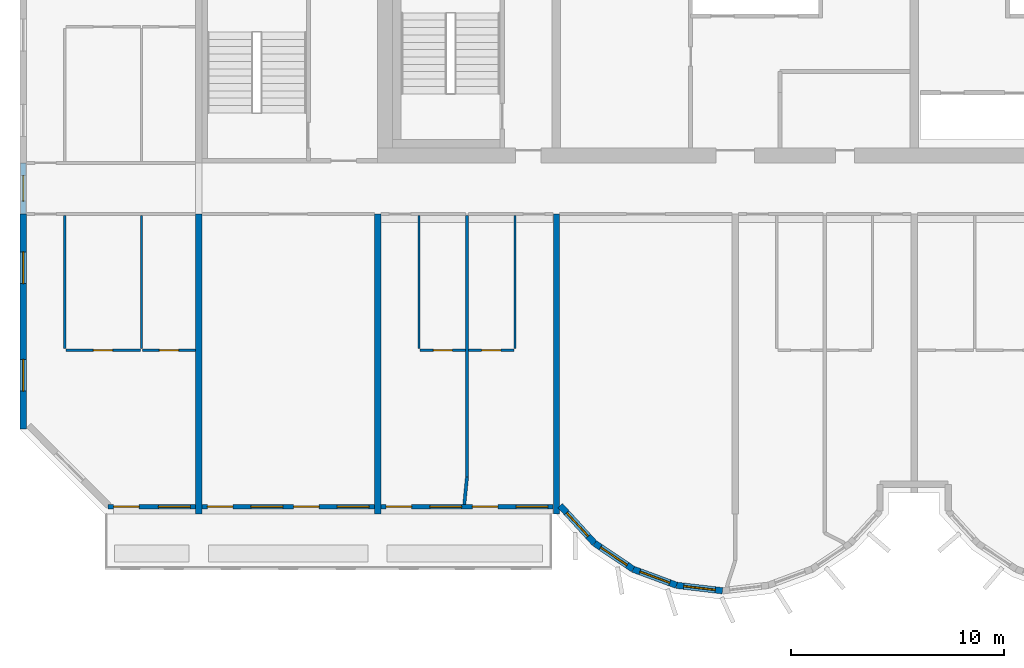
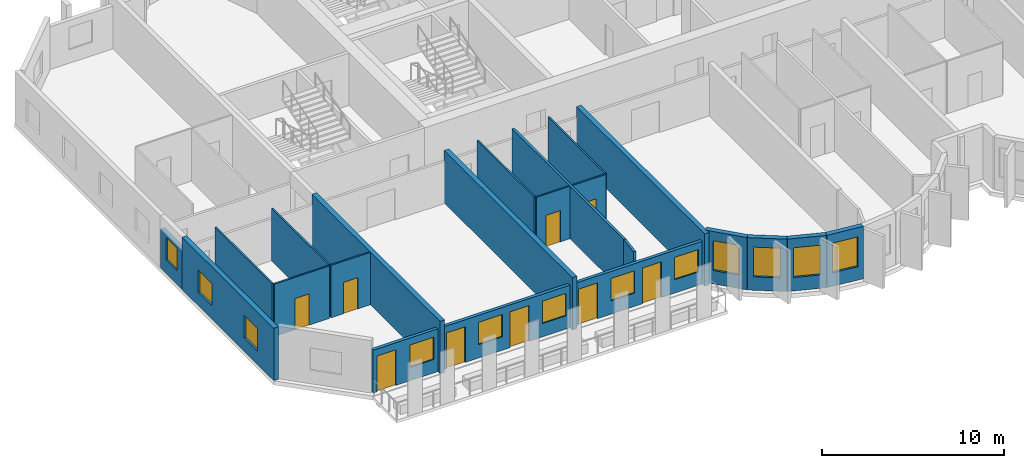
# One storey, part 2 of 13: 22 walls, 12 windows, 9 doors, 21 openings.
"""IFC4 building model written with IfcOpenShell, lengths in metres."""

from ifc_helpers import new_model, si_unit, direction, frame, frame_2d, origin, place, context, subcontext, project, spatial, rectangle, extrude, source, transform, mapped, material, layer, layer_set, type_object, element, fill, save


model = new_model("IFC4")

# Units and contexts
model_context = context("Model", 3, precision=1e-05, world=origin(), true_north=direction((0.0, 1.0)))
body_context = subcontext(model_context, "Body", "Model", "MODEL_VIEW")
ifc_project = project(units=[si_unit("LENGTHUNIT", "METRE"), si_unit("AREAUNIT", "SQUARE_METRE"), si_unit("VOLUMEUNIT", "CUBIC_METRE"), si_unit("PLANEANGLEUNIT", "RADIAN"), si_unit("MASSUNIT", "GRAM", prefix="KILO")], contexts=[model_context])

# Site, building, storey
site_placement = place(None, origin())
site = spatial("IfcSite", under=ifc_project, at=site_placement, CompositionType="ELEMENT")
building_placement = place(site_placement, origin())
building = spatial("IfcBuilding", under=site, at=building_placement, Name="Vanashikhar Sky Hotel", CompositionType="ELEMENT")
storey_placement = place(building_placement, frame((0.0, 0.0, 155.39990234375)))
storey = spatial("IfcBuildingStorey", under=building, at=storey_placement, Name="L37", CompositionType="ELEMENT", Elevation=155.39990234375)

# Wall, openings, windows
ifc_material_1 = material(Name="Concrete M60", Category="concrete")
ifc_layer_1 = layer(ifc_material_1, 0.300048828125)
ifc_layer_set_1 = layer_set([ifc_layer_1], Name="RC shear wall 300 Concrete M60")
wall_type_1 = type_object("IfcWallType", Name="RC shear wall 300 Concrete M60", PredefinedType="SHEAR", material=ifc_layer_set_1)
shared_shape_1 = source(origin(), body_context, "Body", "SweptSolid", [
    extrude(rectangle(XDim=10.10009765625, YDim=0.300048828125, at=frame_2d((5.050048828125, 0.0))), origin(), (0.0, 0.0, 1.0), 3.52001953125),
])
wall_1_placement = place(storey_placement, frame((8.550048828125, 9.5, 0.0), z_axis=(0.0, 0.0, 1.0), x_axis=(0.0, 1.0, 0.0)))
wall_1 = element("IfcWall", 1, at=wall_1_placement, inside=storey, type_object=wall_type_1, Name="CW-L37-XW02-1", PredefinedType="SHEAR", context=body_context, shape_type="MappedRepresentation", body=[
    mapped(shared_shape_1, transform((0.0, 0.0, 0.0), scale=1.0)),
])
shared_shape_2 = source(origin(), body_context, "Body", "SweptSolid", [
    extrude(rectangle(XDim=1.5, YDim=1.5, at=frame_2d((0.75, 0.75))), frame((0.0, 0.16015625, 0.0), z_axis=(0.0, -1.0, 0.0), x_axis=(1.0, 0.0, 0.0)), (0.0, 0.0, 1.0), 0.320068359375),
])
opening_1_placement = place(wall_1_placement, frame((1.77490234375, 0.0, 0.89990234375)))
opening_1 = element("IfcOpeningElement", 2, at=opening_1_placement, cuts=wall_1, Name="Opening WN-1", PredefinedType="OPENING", context=body_context, shape_type="MappedRepresentation", body=[
    mapped(shared_shape_2, transform((0.0, 0.0, 0.0), scale=1.0)),
])
opening_2_placement = place(wall_1_placement, frame((6.824951171875, 0.0, 0.89990234375)))
opening_2 = element("IfcOpeningElement", 3, at=opening_2_placement, cuts=wall_1, Name="Opening WN-1", PredefinedType="OPENING", context=body_context, shape_type="MappedRepresentation", body=[
    mapped(shared_shape_2, transform((0.0, 0.0, 0.0), scale=1.0)),
])
ifc_material_2 = material(Name="Glass", Category="glass")
window_type_1 = type_object("IfcWindowType", Name="Window 1500 x 1500", PartitioningType="SINGLE_PANEL", PredefinedType="WINDOW", material=ifc_material_2)
shared_shape_3 = source(origin(), body_context, "Body", "SweptSolid", [
    extrude(rectangle(XDim=1.5, YDim=1.5, at=frame_2d((0.75, 0.75))), frame((0.0, 0.030029296875, 0.0), z_axis=(0.0, -1.0, 0.0), x_axis=(1.0, 0.0, 0.0)), (0.0, 0.0, 1.0), 0.06005859375),
])
window_1_placement = place(opening_1_placement, origin())
window_1 = element("IfcWindow", 4, at=window_1_placement, inside=storey, type_object=window_type_1, Name="Window WN-1", OverallHeight=1.5, OverallWidth=1.5, PartitioningType="SINGLE_PANEL", PredefinedType="WINDOW", context=body_context, shape_type="MappedRepresentation", body=[
    mapped(shared_shape_3, transform((0.0, 0.0, 0.0), scale=1.0)),
])
fill(opening_1, window_1)
window_2_placement = place(opening_2_placement, origin())
window_2 = element("IfcWindow", 5, at=window_2_placement, inside=storey, type_object=window_type_1, Name="Window WN-1", OverallHeight=1.5, OverallWidth=1.5, PartitioningType="SINGLE_PANEL", PredefinedType="WINDOW", context=body_context, shape_type="MappedRepresentation", body=[
    mapped(shared_shape_3, transform((0.0, 0.0, 0.0), scale=1.0)),
])
fill(opening_2, window_2)

# Walls
shared_shape_4 = source(origin(), body_context, "Body", "SweptSolid", [
    extrude(rectangle(XDim=14.10009765625, YDim=0.300048828125, at=frame_2d((7.050048828125, 0.0))), origin(), (0.0, 0.0, 1.0), 3.52001953125),
])
for number, where, z_axis, x_axis, name in (
    (6, (16.800048828125, 5.5, 0.0), (0.0, 0.0, 1.0), (0.0, 1.0, 0.0), "CW-L37-XW03-1"),
    (7, (25.199951171875, 5.5, 0.0), (0.0, 0.0, 1.0), (0.0, 1.0, 0.0), "CW-L37-XW04-1"),
    (8, (33.60009765625, 5.5, 0.0), (0.0, 0.0, 1.0), (0.0, 1.0, 0.0), "CW-L37-XW05-1"),
):
    element("IfcWall", number, at=place(storey_placement, frame(where, z_axis=z_axis, x_axis=x_axis)), inside=storey, type_object=wall_type_1, Name=name, PredefinedType="SHEAR", context=body_context, shape_type="MappedRepresentation", body=[
        mapped(shared_shape_4, transform((0.0, 0.0, 0.0), scale=1.0)),
    ])

# Wall, opening, window
ifc_material_3 = material(Name="Concrete M50", Category="concrete")
ifc_layer_2 = layer(ifc_material_3, 0.300048828125)
ifc_layer_set_2 = layer_set([ifc_layer_2], Name="Lobe wall 300")
wall_type_2 = type_object("IfcWallType", Name="Lobe wall 300", PredefinedType="SOLIDWALL", material=ifc_layer_set_2)
shared_shape_5 = source(origin(), body_context, "Body", "SweptSolid", [
    extrude(rectangle(XDim=2.398193359375, YDim=0.300048828125, at=frame_2d((1.19921875, 0.0))), origin(), (0.0, 0.0, 1.0), 3.52001953125),
])
wall_2_placement = place(storey_placement, frame((33.776123046875, 5.89990234375, 0.0), z_axis=(0.0, 0.0, 1.0), x_axis=(0.675374189419, -0.737475222815, 0.0)))
wall_2 = element("IfcWall", 9, at=wall_2_placement, inside=storey, type_object=wall_type_2, Name="Lobe wall", PredefinedType="SOLIDWALL", context=body_context, shape_type="MappedRepresentation", body=[
    mapped(shared_shape_5, transform((0.0, 0.0, 0.0), scale=1.0)),
])
shared_shape_6 = source(origin(), body_context, "Body", "SweptSolid", [
    extrude(rectangle(XDim=1.5, YDim=2.0, at=frame_2d((0.75, 1.0))), frame((0.0, 0.16015625, 0.0), z_axis=(0.0, -1.0, 0.0), x_axis=(1.0, 0.0, 0.0)), (0.0, 0.0, 1.0), 0.320068359375),
])
opening_3_placement = place(wall_2_placement, frame((0.44921875, 0.0, 0.89990234375)))
opening_3 = element("IfcOpeningElement", 10, at=opening_3_placement, cuts=wall_2, Name="Opening WN-2", PredefinedType="OPENING", context=body_context, shape_type="MappedRepresentation", body=[
    mapped(shared_shape_6, transform((0.0, 0.0, 0.0), scale=1.0)),
])
window_type_2 = type_object("IfcWindowType", Name="Lobe window 1500 x 2000", PartitioningType="SINGLE_PANEL", PredefinedType="WINDOW", material=ifc_material_2)
shared_shape_7 = source(origin(), body_context, "Body", "SweptSolid", [
    extrude(rectangle(XDim=1.5, YDim=2.0, at=frame_2d((0.75, 1.0))), frame((0.0, 0.030029296875, 0.0), z_axis=(0.0, -1.0, 0.0), x_axis=(1.0, 0.0, 0.0)), (0.0, 0.0, 1.0), 0.06005859375),
])
window_3_placement = place(opening_3_placement, origin())
window_3 = element("IfcWindow", 11, at=window_3_placement, inside=storey, type_object=window_type_2, Name="Window WN-2", OverallHeight=2.0, OverallWidth=1.5, PartitioningType="SINGLE_PANEL", PredefinedType="WINDOW", context=body_context, shape_type="MappedRepresentation", body=[
    mapped(shared_shape_7, transform((0.0, 0.0, 0.0), scale=1.0)),
])
fill(opening_3, window_3)

shared_shape_8 = source(origin(), body_context, "Body", "SweptSolid", [
    extrude(rectangle(XDim=2.17578125, YDim=0.300048828125, at=frame_2d((1.087890625, 0.0))), origin(), (0.0, 0.0, 1.0), 3.52001953125),
])
wall_3_placement = place(storey_placement, frame((35.395751953125, 4.13134765625, 0.0), z_axis=(0.0, 0.0, 1.0), x_axis=(0.829590746428, -0.558371913192, 0.0)))
wall_3 = element("IfcWall", 12, at=wall_3_placement, inside=storey, type_object=wall_type_2, Name="Lobe wall", PredefinedType="SOLIDWALL", context=body_context, shape_type="MappedRepresentation", body=[
    mapped(shared_shape_8, transform((0.0, 0.0, 0.0), scale=1.0)),
])
opening_4_placement = place(wall_3_placement, frame((0.337890625, 0.0, 0.89990234375)))
opening_4 = element("IfcOpeningElement", 13, at=opening_4_placement, cuts=wall_3, Name="Opening WN-2", PredefinedType="OPENING", context=body_context, shape_type="MappedRepresentation", body=[
    mapped(shared_shape_6, transform((0.0, 0.0, 0.0), scale=1.0)),
])
window_4_placement = place(opening_4_placement, origin())
window_4 = element("IfcWindow", 14, at=window_4_placement, inside=storey, type_object=window_type_2, Name="Window WN-2", OverallHeight=2.0, OverallWidth=1.5, PartitioningType="SINGLE_PANEL", PredefinedType="WINDOW", context=body_context, shape_type="MappedRepresentation", body=[
    mapped(shared_shape_7, transform((0.0, 0.0, 0.0), scale=1.0)),
])
fill(opening_4, window_4)

wall_4_placement = place(storey_placement, frame((37.20068359375, 2.91650390625, 0.0), z_axis=(0.0, 0.0, 1.0), x_axis=(0.93754555999, -0.347862505801, 0.0)))
wall_4 = element("IfcWall", 15, at=wall_4_placement, inside=storey, type_object=wall_type_2, Name="Lobe wall", PredefinedType="SOLIDWALL", context=body_context, shape_type="MappedRepresentation", body=[
    mapped(shared_shape_8, transform((0.0, 0.0, 0.0), scale=1.0)),
])
opening_5_placement = place(wall_4_placement, frame((0.337890625, 0.0, 0.89990234375)))
opening_5 = element("IfcOpeningElement", 16, at=opening_5_placement, cuts=wall_4, Name="Opening WN-2", PredefinedType="OPENING", context=body_context, shape_type="MappedRepresentation", body=[
    mapped(shared_shape_6, transform((0.0, 0.0, 0.0), scale=1.0)),
])
window_5_placement = place(opening_5_placement, origin())
window_5 = element("IfcWindow", 17, at=window_5_placement, inside=storey, type_object=window_type_2, Name="Window WN-2", OverallHeight=2.0, OverallWidth=1.5, PartitioningType="SINGLE_PANEL", PredefinedType="WINDOW", context=body_context, shape_type="MappedRepresentation", body=[
    mapped(shared_shape_7, transform((0.0, 0.0, 0.0), scale=1.0)),
])
fill(opening_5, window_5)

shared_shape_9 = source(origin(), body_context, "Body", "SweptSolid", [
    extrude(rectangle(XDim=2.174560546875, YDim=0.300048828125, at=frame_2d((1.08740234375, 0.0))), origin(), (0.0, 0.0, 1.0), 3.52001953125),
])
wall_5_placement = place(storey_placement, frame((39.240478515625, 2.15966796875, 0.0), z_axis=(0.0, 0.0, 1.0), x_axis=(0.993001132889, -0.118104826659, 0.0)))
wall_5 = element("IfcWall", 18, at=wall_5_placement, inside=storey, type_object=wall_type_2, Name="Lobe wall", PredefinedType="SOLIDWALL", context=body_context, shape_type="MappedRepresentation", body=[
    mapped(shared_shape_9, transform((0.0, 0.0, 0.0), scale=1.0)),
])
opening_6_placement = place(wall_5_placement, frame((0.33740234375, 0.0, 0.89990234375)))
opening_6 = element("IfcOpeningElement", 19, at=opening_6_placement, cuts=wall_5, Name="Opening WN-2", PredefinedType="OPENING", context=body_context, shape_type="MappedRepresentation", body=[
    mapped(shared_shape_6, transform((0.0, 0.0, 0.0), scale=1.0)),
])
window_6_placement = place(opening_6_placement, origin())
window_6 = element("IfcWindow", 20, at=window_6_placement, inside=storey, type_object=window_type_2, Name="Window WN-2", OverallHeight=2.0, OverallWidth=1.5, PartitioningType="SINGLE_PANEL", PredefinedType="WINDOW", context=body_context, shape_type="MappedRepresentation", body=[
    mapped(shared_shape_7, transform((0.0, 0.0, 0.0), scale=1.0)),
])
fill(opening_6, window_6)

ifc_layer_3 = layer(ifc_material_3, 0.25)
ifc_layer_set_3 = layer_set([ifc_layer_3], Name="Rear and end board-marked wall 250")
wall_type_3 = type_object("IfcWallType", Name="Rear and end board-marked wall 250", PredefinedType="SOLIDWALL", material=ifc_layer_set_3)
shared_shape_10 = source(origin(), body_context, "Body", "SweptSolid", [
    extrude(rectangle(XDim=2.39990234375, YDim=0.25, at=frame_2d((1.199951171875, 0.0))), origin(), (0.0, 0.0, 1.0), 2.6201171875),
])
wall_6_placement = place(storey_placement, frame((8.550048828125, 19.60009765625, 0.0), z_axis=(0.0, 0.0, 1.0), x_axis=(0.0, 1.0, 0.0)))
wall_6 = element("IfcWall", 21, at=wall_6_placement, inside=storey, type_object=wall_type_3, Name="End corridor infill wall", PredefinedType="SOLIDWALL", context=body_context, shape_type="MappedRepresentation", body=[
    mapped(shared_shape_10, transform((0.0, 0.0, 0.0), scale=1.0)),
])
shared_shape_11 = source(origin(), body_context, "Body", "SweptSolid", [
    extrude(rectangle(XDim=1.199951171875, YDim=1.5, at=frame_2d((0.60009765625, 0.75))), frame((0.0, 0.135009765625, 0.0), z_axis=(0.0, -1.0, 0.0), x_axis=(1.0, 0.0, 0.0)), (0.0, 0.0, 1.0), 0.27001953125),
])
opening_7_placement = place(wall_6_placement, frame((0.60009765625, 0.0, 0.89990234375)))
opening_7 = element("IfcOpeningElement", 22, at=opening_7_placement, cuts=wall_6, Name="Opening WN-3", PredefinedType="OPENING", context=body_context, shape_type="MappedRepresentation", body=[
    mapped(shared_shape_11, transform((0.0, 0.0, 0.0), scale=1.0)),
])
window_type_3 = type_object("IfcWindowType", Name="Corridor end window 1200 x 1500", PartitioningType="SINGLE_PANEL", PredefinedType="WINDOW", material=ifc_material_2)
shared_shape_12 = source(origin(), body_context, "Body", "SweptSolid", [
    extrude(rectangle(XDim=1.199951171875, YDim=1.5, at=frame_2d((0.60009765625, 0.75))), frame((0.0, 0.030029296875, 0.0), z_axis=(0.0, -1.0, 0.0), x_axis=(1.0, 0.0, 0.0)), (0.0, 0.0, 1.0), 0.06005859375),
])
window_7_placement = place(opening_7_placement, origin())
window_7 = element("IfcWindow", 23, at=window_7_placement, inside=storey, type_object=window_type_3, Name="Window WN-3", OverallHeight=1.5, OverallWidth=1.199951171875, PartitioningType="SINGLE_PANEL", PredefinedType="WINDOW", context=body_context, shape_type="MappedRepresentation", body=[
    mapped(shared_shape_12, transform((0.0, 0.0, 0.0), scale=1.0)),
])
fill(opening_7, window_7)

# Wall, openings, window, door
ifc_layer_4 = layer(ifc_material_3, 0.199951171875)
ifc_layer_set_4 = layer_set([ifc_layer_4], Name="Front window wall 200")
wall_type_4 = type_object("IfcWallType", Name="Front window wall 200", PredefinedType="SOLIDWALL", material=ifc_layer_set_4)
shared_shape_13 = source(origin(), body_context, "Body", "SweptSolid", [
    extrude(rectangle(XDim=4.10498046875, YDim=0.199951171875, at=frame_2d((2.052490234375, 0.0))), origin(), (0.0, 0.0, 1.0), 2.8701171875),
])
wall_7_placement = place(storey_placement, frame((12.544921875, 5.85009765625, 0.0), z_axis=(0.0, 0.0, 1.0), x_axis=(1.0, 0.0, 0.0)))
wall_7 = element("IfcWall", 24, at=wall_7_placement, inside=storey, type_object=wall_type_4, Name="Front window wall", PredefinedType="SOLIDWALL", context=body_context, shape_type="MappedRepresentation", body=[
    mapped(shared_shape_13, transform((0.0, 0.0, 0.0), scale=1.0)),
])
shared_shape_14 = source(origin(), body_context, "Body", "SweptSolid", [
    extrude(rectangle(XDim=1.199951171875, YDim=2.39990234375, at=frame_2d((0.60009765625, 1.199951171875))), frame((0.0, 0.10986328125, 0.0), z_axis=(0.0, -1.0, 0.0), x_axis=(1.0, 0.0, 0.0)), (0.0, 0.0, 1.0), 0.219970703125),
])
opening_8_placement = place(wall_7_placement, frame((0.25, 0.0, 0.0)))
opening_8 = element("IfcOpeningElement", 25, at=opening_8_placement, cuts=wall_7, Name="Opening BD-01", PredefinedType="OPENING", context=body_context, shape_type="MappedRepresentation", body=[
    mapped(shared_shape_14, transform((0.0, 0.0, 0.0), scale=1.0)),
])
shared_shape_15 = source(origin(), body_context, "Body", "SweptSolid", [
    extrude(rectangle(XDim=1.5, YDim=1.5, at=frame_2d((0.75, 0.75))), frame((0.0, 0.10986328125, 0.0), z_axis=(0.0, -1.0, 0.0), x_axis=(1.0, 0.0, 0.0)), (0.0, 0.0, 1.0), 0.219970703125),
])
opening_9_placement = place(wall_7_placement, frame((2.35498046875, 0.0, 0.89990234375)))
opening_9 = element("IfcOpeningElement", 26, at=opening_9_placement, cuts=wall_7, Name="Opening WN-1", PredefinedType="OPENING", context=body_context, shape_type="MappedRepresentation", body=[
    mapped(shared_shape_15, transform((0.0, 0.0, 0.0), scale=1.0)),
])
window_8_placement = place(opening_9_placement, origin())
window_8 = element("IfcWindow", 27, at=window_8_placement, inside=storey, type_object=window_type_1, Name="Window WN-1", OverallHeight=1.5, OverallWidth=1.5, PartitioningType="SINGLE_PANEL", PredefinedType="WINDOW", context=body_context, shape_type="MappedRepresentation", body=[
    mapped(shared_shape_3, transform((0.0, 0.0, 0.0), scale=1.0)),
])
fill(opening_9, window_8)
ifc_material_4 = material(Name="Aluminium", Category="aluminium")
door_type_1 = type_object("IfcDoorType", Name="Balcony sliding door 1200 x 2400", OperationType="NOTDEFINED", PredefinedType="DOOR", material=ifc_material_4)
shared_shape_16 = source(origin(), body_context, "Body", "SweptSolid", [
    extrude(rectangle(XDim=1.199951171875, YDim=2.39990234375, at=frame_2d((0.60009765625, 1.199951171875))), frame((0.0, 0.02490234375, 0.0), z_axis=(0.0, -1.0, 0.0), x_axis=(1.0, 0.0, 0.0)), (0.0, 0.0, 1.0), 0.050048828125),
])
door_1_placement = place(opening_8_placement, origin())
door_1 = element("IfcDoor", 28, at=door_1_placement, inside=storey, type_object=door_type_1, Name="Balcony sliding door", OperationType="SLIDING_TO_LEFT", OverallHeight=2.39990234375, OverallWidth=1.199951171875, PredefinedType="DOOR", context=body_context, shape_type="MappedRepresentation", body=[
    mapped(shared_shape_16, transform((0.0, 0.0, 0.0), scale=1.0)),
])
fill(opening_8, door_1)

# Wall, openings, windows, doors
shared_shape_17 = source(origin(), body_context, "Body", "SweptSolid", [
    extrude(rectangle(XDim=8.10009765625, YDim=0.199951171875, at=frame_2d((4.050048828125, 0.0))), origin(), (0.0, 0.0, 1.0), 2.8701171875),
])
wall_8_placement = place(storey_placement, frame((16.949951171875, 5.85009765625, 0.0), z_axis=(0.0, 0.0, 1.0), x_axis=(1.0, 0.0, 0.0)))
wall_8 = element("IfcWall", 29, at=wall_8_placement, inside=storey, type_object=wall_type_4, Name="Front window wall", PredefinedType="SOLIDWALL", context=body_context, shape_type="MappedRepresentation", body=[
    mapped(shared_shape_17, transform((0.0, 0.0, 0.0), scale=1.0)),
])
opening_10_placement = place(wall_8_placement, frame((0.25, 0.0, 0.0)))
opening_10 = element("IfcOpeningElement", 30, at=opening_10_placement, cuts=wall_8, Name="Opening BD-02", PredefinedType="OPENING", context=body_context, shape_type="MappedRepresentation", body=[
    mapped(shared_shape_14, transform((0.0, 0.0, 0.0), scale=1.0)),
])
opening_11_placement = place(wall_8_placement, frame((2.300048828125, 0.0, 0.89990234375)))
opening_11 = element("IfcOpeningElement", 31, at=opening_11_placement, cuts=wall_8, Name="Opening WN-1", PredefinedType="OPENING", context=body_context, shape_type="MappedRepresentation", body=[
    mapped(shared_shape_15, transform((0.0, 0.0, 0.0), scale=1.0)),
])
opening_12_placement = place(wall_8_placement, frame((4.300048828125, 0.0, 0.0)))
opening_12 = element("IfcOpeningElement", 32, at=opening_12_placement, cuts=wall_8, Name="Opening BD-03", PredefinedType="OPENING", context=body_context, shape_type="MappedRepresentation", body=[
    mapped(shared_shape_14, transform((0.0, 0.0, 0.0), scale=1.0)),
])
opening_13_placement = place(wall_8_placement, frame((6.35009765625, 0.0, 0.89990234375)))
opening_13 = element("IfcOpeningElement", 33, at=opening_13_placement, cuts=wall_8, Name="Opening WN-1", PredefinedType="OPENING", context=body_context, shape_type="MappedRepresentation", body=[
    mapped(shared_shape_15, transform((0.0, 0.0, 0.0), scale=1.0)),
])
window_9_placement = place(opening_11_placement, origin())
window_9 = element("IfcWindow", 34, at=window_9_placement, inside=storey, type_object=window_type_1, Name="Window WN-1", OverallHeight=1.5, OverallWidth=1.5, PartitioningType="SINGLE_PANEL", PredefinedType="WINDOW", context=body_context, shape_type="MappedRepresentation", body=[
    mapped(shared_shape_3, transform((0.0, 0.0, 0.0), scale=1.0)),
])
fill(opening_11, window_9)
window_10_placement = place(opening_13_placement, origin())
window_10 = element("IfcWindow", 35, at=window_10_placement, inside=storey, type_object=window_type_1, Name="Window WN-1", OverallHeight=1.5, OverallWidth=1.5, PartitioningType="SINGLE_PANEL", PredefinedType="WINDOW", context=body_context, shape_type="MappedRepresentation", body=[
    mapped(shared_shape_3, transform((0.0, 0.0, 0.0), scale=1.0)),
])
fill(opening_13, window_10)
door_2_placement = place(opening_10_placement, origin())
door_2 = element("IfcDoor", 36, at=door_2_placement, inside=storey, type_object=door_type_1, Name="Balcony sliding door", OperationType="SLIDING_TO_RIGHT", OverallHeight=2.39990234375, OverallWidth=1.199951171875, PredefinedType="DOOR", context=body_context, shape_type="MappedRepresentation", body=[
    mapped(shared_shape_16, transform((0.0, 0.0, 0.0), scale=1.0)),
])
fill(opening_10, door_2)
door_3_placement = place(opening_12_placement, origin())
door_3 = element("IfcDoor", 37, at=door_3_placement, inside=storey, type_object=door_type_1, Name="Balcony sliding door", OperationType="SLIDING_TO_LEFT", OverallHeight=2.39990234375, OverallWidth=1.199951171875, PredefinedType="DOOR", context=body_context, shape_type="MappedRepresentation", body=[
    mapped(shared_shape_16, transform((0.0, 0.0, 0.0), scale=1.0)),
])
fill(opening_12, door_3)

shared_shape_18 = source(origin(), body_context, "Body", "SweptSolid", [
    extrude(rectangle(XDim=8.099853515625, YDim=0.199951171875, at=frame_2d((4.0498046875, 0.0))), origin(), (0.0, 0.0, 1.0), 2.8701171875),
])
wall_9_placement = place(storey_placement, frame((25.35009765625, 5.85009765625, 0.0), z_axis=(0.0, 0.0, 1.0), x_axis=(1.0, 0.0, 0.0)))
wall_9 = element("IfcWall", 38, at=wall_9_placement, inside=storey, type_object=wall_type_4, Name="Front window wall", PredefinedType="SOLIDWALL", context=body_context, shape_type="MappedRepresentation", body=[
    mapped(shared_shape_18, transform((0.0, 0.0, 0.0), scale=1.0)),
])
opening_14_placement = place(wall_9_placement, frame((0.25, 0.0, 0.0)))
opening_14 = element("IfcOpeningElement", 39, at=opening_14_placement, cuts=wall_9, Name="Opening BD-04", PredefinedType="OPENING", context=body_context, shape_type="MappedRepresentation", body=[
    mapped(shared_shape_14, transform((0.0, 0.0, 0.0), scale=1.0)),
])
opening_15_placement = place(wall_9_placement, frame((2.300048828125, 0.0, 0.89990234375)))
opening_15 = element("IfcOpeningElement", 40, at=opening_15_placement, cuts=wall_9, Name="Opening WN-1", PredefinedType="OPENING", context=body_context, shape_type="MappedRepresentation", body=[
    mapped(shared_shape_15, transform((0.0, 0.0, 0.0), scale=1.0)),
])
opening_16_placement = place(wall_9_placement, frame((4.300048828125, 0.0, 0.0)))
opening_16 = element("IfcOpeningElement", 41, at=opening_16_placement, cuts=wall_9, Name="Opening BD-05", PredefinedType="OPENING", context=body_context, shape_type="MappedRepresentation", body=[
    mapped(shared_shape_14, transform((0.0, 0.0, 0.0), scale=1.0)),
])
opening_17_placement = place(wall_9_placement, frame((6.35009765625, 0.0, 0.89990234375)))
opening_17 = element("IfcOpeningElement", 42, at=opening_17_placement, cuts=wall_9, Name="Opening WN-1", PredefinedType="OPENING", context=body_context, shape_type="MappedRepresentation", body=[
    mapped(shared_shape_15, transform((0.0, 0.0, 0.0), scale=1.0)),
])
window_11_placement = place(opening_15_placement, origin())
window_11 = element("IfcWindow", 43, at=window_11_placement, inside=storey, type_object=window_type_1, Name="Window WN-1", OverallHeight=1.5, OverallWidth=1.5, PartitioningType="SINGLE_PANEL", PredefinedType="WINDOW", context=body_context, shape_type="MappedRepresentation", body=[
    mapped(shared_shape_3, transform((0.0, 0.0, 0.0), scale=1.0)),
])
fill(opening_15, window_11)
window_12_placement = place(opening_17_placement, origin())
window_12 = element("IfcWindow", 44, at=window_12_placement, inside=storey, type_object=window_type_1, Name="Window WN-1", OverallHeight=1.5, OverallWidth=1.5, PartitioningType="SINGLE_PANEL", PredefinedType="WINDOW", context=body_context, shape_type="MappedRepresentation", body=[
    mapped(shared_shape_3, transform((0.0, 0.0, 0.0), scale=1.0)),
])
fill(opening_17, window_12)
door_4_placement = place(opening_14_placement, origin())
door_4 = element("IfcDoor", 45, at=door_4_placement, inside=storey, type_object=door_type_1, Name="Balcony sliding door", OperationType="SLIDING_TO_RIGHT", OverallHeight=2.39990234375, OverallWidth=1.199951171875, PredefinedType="DOOR", context=body_context, shape_type="MappedRepresentation", body=[
    mapped(shared_shape_16, transform((0.0, 0.0, 0.0), scale=1.0)),
])
fill(opening_14, door_4)
door_5_placement = place(opening_16_placement, origin())
door_5 = element("IfcDoor", 46, at=door_5_placement, inside=storey, type_object=door_type_1, Name="Balcony sliding door", OperationType="SLIDING_TO_LEFT", OverallHeight=2.39990234375, OverallWidth=1.199951171875, PredefinedType="DOOR", context=body_context, shape_type="MappedRepresentation", body=[
    mapped(shared_shape_16, transform((0.0, 0.0, 0.0), scale=1.0)),
])
fill(opening_16, door_5)

# Wall, opening, door
ifc_material_5 = material(Name="Gypsum plasterboard partition")
ifc_layer_5 = layer(ifc_material_5, 0.10009765625)
ifc_layer_set_5 = layer_set([ifc_layer_5], Name="Wet room partition 100")
wall_type_5 = type_object("IfcWallType", Name="Wet room partition 100", PredefinedType="PARTITIONING", material=ifc_layer_set_5)
shared_shape_19 = source(origin(), body_context, "Body", "SweptSolid", [
    extrude(rectangle(XDim=3.5, YDim=0.10009765625, at=frame_2d((1.75, 0.0))), origin(), (0.0, 0.0, 1.0), 3.52001953125),
])
wall_10_placement = place(storey_placement, frame((10.550048828125, 13.199951171875, 0.0), z_axis=(0.0, 0.0, 1.0), x_axis=(1.0, 0.0, 0.0)))
wall_10 = element("IfcWall", 47, at=wall_10_placement, inside=storey, type_object=wall_type_5, Name="W-L37-PW003", PredefinedType="PARTITIONING", context=body_context, shape_type="MappedRepresentation", body=[
    mapped(shared_shape_19, transform((0.0, 0.0, 0.0), scale=1.0)),
])
shared_shape_20 = source(origin(), body_context, "Body", "SweptSolid", [
    extrude(rectangle(XDim=0.89990234375, YDim=2.10009765625, at=frame_2d((0.449951171875, 1.050048828125))), frame((0.0, 0.06005859375, 0.0), z_axis=(0.0, -1.0, 0.0), x_axis=(1.0, 0.0, 0.0)), (0.0, 0.0, 1.0), 0.1201171875),
])
opening_18_placement = place(wall_10_placement, frame((1.300048828125, 0.0, 0.0)))
opening_18 = element("IfcOpeningElement", 48, at=opening_18_placement, cuts=wall_10, Name="Opening D-02", PredefinedType="OPENING", context=body_context, shape_type="MappedRepresentation", body=[
    mapped(shared_shape_20, transform((0.0, 0.0, 0.0), scale=1.0)),
])
ifc_material_6 = material(Name="Timber door", Category="wood")
door_type_2 = type_object("IfcDoorType", Name="Internal door 900", OperationType="NOTDEFINED", PredefinedType="DOOR", material=ifc_material_6)
shared_shape_21 = source(origin(), body_context, "Body", "SweptSolid", [
    extrude(rectangle(XDim=0.89990234375, YDim=2.10009765625, at=frame_2d((0.449951171875, 1.050048828125))), frame((0.0, 0.02490234375, 0.0), z_axis=(0.0, -1.0, 0.0), x_axis=(1.0, 0.0, 0.0)), (0.0, 0.0, 1.0), 0.050048828125),
])
door_6_placement = place(opening_18_placement, origin())
door_6 = element("IfcDoor", 49, at=door_6_placement, inside=storey, type_object=door_type_2, Name="D-L37-001", OperationType="SINGLE_SWING_LEFT", OverallHeight=2.10009765625, OverallWidth=0.89990234375, PredefinedType="DOOR", context=body_context, shape_type="MappedRepresentation", body=[
    mapped(shared_shape_21, transform((0.0, 0.0, 0.0), scale=1.0)),
])
fill(opening_18, door_6)

# Walls
shared_shape_22 = source(origin(), body_context, "Body", "SweptSolid", [
    extrude(rectangle(XDim=6.25, YDim=0.10009765625, at=frame_2d((3.125, 0.0))), origin(), (0.0, 0.0, 1.0), 3.52001953125),
])
for number, where, z_axis, x_axis, name in (
    (50, (10.5, 13.27490234375, 0.0), (0.0, 0.0, 1.0), (0.0, 1.0, 0.0), "W-L37-PW001"),
    (51, (14.10009765625, 13.27490234375, 0.0), (0.0, 0.0, 1.0), (0.0, 1.0, 0.0), "W-L37-PW002"),
    (52, (27.14990234375, 13.27490234375, 0.0), (0.0, 0.0, 1.0), (0.0, 1.0, 0.0), "W-L37-PW007"),
    (53, (31.64990234375, 13.27490234375, 0.0), (0.0, 0.0, 1.0), (0.0, 1.0, 0.0), "W-L37-PW010"),
):
    element("IfcWall", number, at=place(storey_placement, frame(where, z_axis=z_axis, x_axis=x_axis)), inside=storey, type_object=wall_type_5, Name=name, PredefinedType="PARTITIONING", context=body_context, shape_type="MappedRepresentation", body=[
        mapped(shared_shape_22, transform((0.0, 0.0, 0.0), scale=1.0)),
    ])

# Wall, opening, door
shared_shape_23 = source(origin(), body_context, "Body", "SweptSolid", [
    extrude(rectangle(XDim=2.5, YDim=0.10009765625, at=frame_2d((1.25, 0.0))), origin(), (0.0, 0.0, 1.0), 3.52001953125),
])
wall_11_placement = place(storey_placement, frame((14.14990234375, 13.199951171875, 0.0), z_axis=(0.0, 0.0, 1.0), x_axis=(1.0, 0.0, 0.0)))
wall_11 = element("IfcWall", 54, at=wall_11_placement, inside=storey, type_object=wall_type_5, Name="W-L37-PW004", PredefinedType="PARTITIONING", context=body_context, shape_type="MappedRepresentation", body=[
    mapped(shared_shape_23, transform((0.0, 0.0, 0.0), scale=1.0)),
])
opening_19_placement = place(wall_11_placement, frame((0.800048828125, 0.0, 0.0)))
opening_19 = element("IfcOpeningElement", 55, at=opening_19_placement, cuts=wall_11, Name="Opening D-02", PredefinedType="OPENING", context=body_context, shape_type="MappedRepresentation", body=[
    mapped(shared_shape_20, transform((0.0, 0.0, 0.0), scale=1.0)),
])
door_7_placement = place(opening_19_placement, origin())
door_7 = element("IfcDoor", 56, at=door_7_placement, inside=storey, type_object=door_type_2, Name="D-L37-002", OperationType="SINGLE_SWING_LEFT", OverallHeight=2.10009765625, OverallWidth=0.89990234375, PredefinedType="DOOR", context=body_context, shape_type="MappedRepresentation", body=[
    mapped(shared_shape_21, transform((0.0, 0.0, 0.0), scale=1.0)),
])
fill(opening_19, door_7)

# Walls
ifc_layer_6 = layer(ifc_material_5, 0.14990234375)
ifc_layer_set_6 = layer_set([ifc_layer_6], Name="Corridor and demising partition 150")
wall_type_6 = type_object("IfcWallType", Name="Corridor and demising partition 150", PredefinedType="PARTITIONING", material=ifc_layer_set_6)
shared_shape_24 = source(origin(), body_context, "Body", "SweptSolid", [
    extrude(rectangle(XDim=12.27490234375, YDim=0.14990234375, at=frame_2d((6.137451171875, 0.0))), origin(), (0.0, 0.0, 1.0), 3.52001953125),
])
wall_12_placement = place(storey_placement, frame((29.39990234375, 7.25, 0.0), z_axis=(0.0, 0.0, 1.0), x_axis=(0.0, 1.0, 0.0)))
element("IfcWall", 57, at=wall_12_placement, inside=storey, type_object=wall_type_6, Name="W-L37-PW013", PredefinedType="PARTITIONING", context=body_context, shape_type="MappedRepresentation", body=[
    mapped(shared_shape_24, transform((0.0, 0.0, 0.0), scale=1.0)),
])
shared_shape_25 = source(origin(), body_context, "Body", "SweptSolid", [
    extrude(rectangle(XDim=1.306640625, YDim=0.14990234375, at=frame_2d((0.6533203125, 0.0))), origin(), (0.0, 0.0, 1.0), 3.52001953125),
])
wall_13_placement = place(storey_placement, frame((29.27001953125, 5.949951171875, 0.0), z_axis=(0.0, 0.0, 1.0), x_axis=(0.099411212066, 0.995046436562, 0.0)))
element("IfcWall", 58, at=wall_13_placement, inside=storey, type_object=wall_type_6, Name="W-L37-PW013B0", PredefinedType="PARTITIONING", context=body_context, shape_type="MappedRepresentation", body=[
    mapped(shared_shape_25, transform((0.0, 0.0, 0.0), scale=1.0)),
])

# Wall, opening, door
shared_shape_26 = source(origin(), body_context, "Body", "SweptSolid", [
    extrude(rectangle(XDim=2.125, YDim=0.10009765625, at=frame_2d((1.0625, 0.0))), origin(), (0.0, 0.0, 1.0), 3.52001953125),
])
wall_14_placement = place(storey_placement, frame((27.199951171875, 13.199951171875, 0.0), z_axis=(0.0, 0.0, 1.0), x_axis=(1.0, 0.0, 0.0)))
wall_14 = element("IfcWall", 59, at=wall_14_placement, inside=storey, type_object=wall_type_5, Name="W-L37-PW008", PredefinedType="PARTITIONING", context=body_context, shape_type="MappedRepresentation", body=[
    mapped(shared_shape_26, transform((0.0, 0.0, 0.0), scale=1.0)),
])
opening_20_placement = place(wall_14_placement, frame((0.613037109375, 0.0, 0.0)))
opening_20 = element("IfcOpeningElement", 60, at=opening_20_placement, cuts=wall_14, Name="Opening D-02", PredefinedType="OPENING", context=body_context, shape_type="MappedRepresentation", body=[
    mapped(shared_shape_20, transform((0.0, 0.0, 0.0), scale=1.0)),
])
door_8_placement = place(opening_20_placement, origin())
door_8 = element("IfcDoor", 61, at=door_8_placement, inside=storey, type_object=door_type_2, Name="D-L37-005", OperationType="SINGLE_SWING_LEFT", OverallHeight=2.10009765625, OverallWidth=0.89990234375, PredefinedType="DOOR", context=body_context, shape_type="MappedRepresentation", body=[
    mapped(shared_shape_21, transform((0.0, 0.0, 0.0), scale=1.0)),
])
fill(opening_20, door_8)

wall_15_placement = place(storey_placement, frame((29.47509765625, 13.199951171875, 0.0), z_axis=(0.0, 0.0, 1.0), x_axis=(1.0, 0.0, 0.0)))
wall_15 = element("IfcWall", 62, at=wall_15_placement, inside=storey, type_object=wall_type_5, Name="W-L37-PW011", PredefinedType="PARTITIONING", context=body_context, shape_type="MappedRepresentation", body=[
    mapped(shared_shape_26, transform((0.0, 0.0, 0.0), scale=1.0)),
])
opening_21_placement = place(wall_15_placement, frame((0.613037109375, 0.0, 0.0)))
opening_21 = element("IfcOpeningElement", 63, at=opening_21_placement, cuts=wall_15, Name="Opening D-02", PredefinedType="OPENING", context=body_context, shape_type="MappedRepresentation", body=[
    mapped(shared_shape_20, transform((0.0, 0.0, 0.0), scale=1.0)),
])
door_9_placement = place(opening_21_placement, origin())
door_9 = element("IfcDoor", 64, at=door_9_placement, inside=storey, type_object=door_type_2, Name="D-L37-007", OperationType="SINGLE_SWING_RIGHT", OverallHeight=2.10009765625, OverallWidth=0.89990234375, PredefinedType="DOOR", context=body_context, shape_type="MappedRepresentation", body=[
    mapped(shared_shape_21, transform((0.0, 0.0, 0.0), scale=1.0)),
])
fill(opening_21, door_9)

save(model, "model.ifc")
